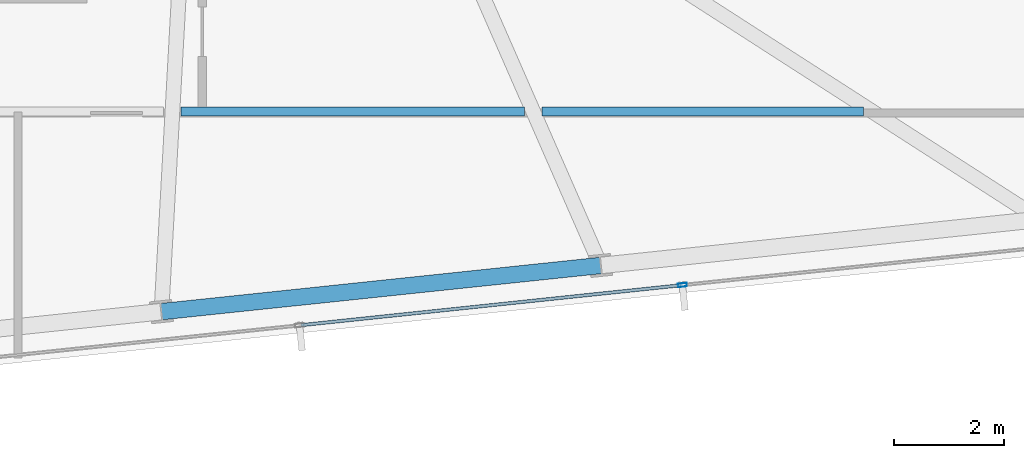
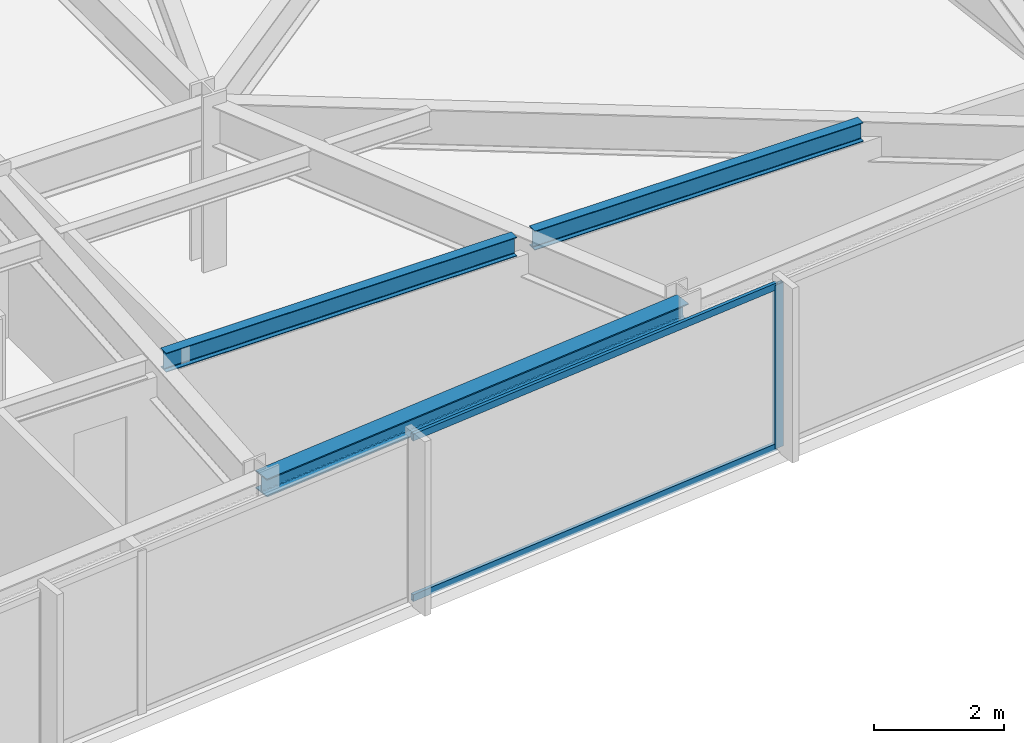
# One storey, part 15 of 32: 3 beams, 3 members, 1 element without a shape of its own.
"""IFC4 building model written with IfcOpenShell, lengths in metres."""

from ifc_helpers import new_model, si_unit, direction, frame, origin, origin_2d, place, context, subcontext, project, spatial, hollow_rectangle, i_section, extrude, material, material_profile, profile_set, type_object, element, aggregate, save


model = new_model("IFC4")

# Units and contexts
model_context = context("Model", 3, precision=1e-05, world=origin(), true_north=direction((0.0, 1.0)))
body_context = subcontext(model_context, "Body", "Model", "MODEL_VIEW")
ifc_project = project(units=[si_unit("LENGTHUNIT", "METRE"), si_unit("AREAUNIT", "SQUARE_METRE"), si_unit("VOLUMEUNIT", "CUBIC_METRE"), si_unit("PLANEANGLEUNIT", "RADIAN"), si_unit("MASSUNIT", "GRAM", prefix="KILO")], contexts=[model_context])

# Site, building, storey
site_placement = place(None, origin())
site = spatial("IfcSite", under=ifc_project, at=site_placement, CompositionType="ELEMENT")
building_placement = place(site_placement, origin())
building = spatial("IfcBuilding", under=site, at=building_placement, Name="Yelkora Congress Tower", CompositionType="ELEMENT")
storey_placement = place(building_placement, frame((0.0, 0.0, 211.10009765625)))
storey = spatial("IfcBuildingStorey", under=building, at=storey_placement, Name="L58", CompositionType="ELEMENT", Elevation=211.10009765625)

# Beams
ifc_material_1 = material(Name="Steel S355J2", Category="steel")
ifc_material_profile_1 = material_profile(ifc_material_1, i_section(OverallWidth=0.169921875, OverallDepth=0.360107421875, WebThickness=0.008056640625, FlangeThickness=0.0126953125, FilletRadius=0.01806640625, at=origin_2d()), Name="IPE 360")
ifc_profile_set_1 = profile_set([ifc_material_profile_1], Name="Steel S355J2")
beam_type_1 = type_object("IfcBeamType", Name="BM-JOIST-IPE360", PredefinedType="JOIST", material=ifc_profile_set_1)
beam_1_placement = place(storey_placement, frame((53.616455078125, 19.678466796875, 2.89990234375), z_axis=(1.0, 0.0, 0.0), x_axis=(0.0, 1.0, 0.0)))
element("IfcBeam", 1, at=beam_1_placement, inside=storey, type_object=beam_type_1, Name="L58 Composite Floor Joist 7", PredefinedType="JOIST", context=body_context, shape_type="SweptSolid", body=[
    extrude(i_section(OverallWidth=0.169921875, OverallDepth=0.360107421875, WebThickness=0.008056640625, FlangeThickness=0.0126953125, FilletRadius=0.01806640625, at=origin_2d()), origin(), (0.0, 0.0, 1.0), 6.2421875),
])
beam_2_placement = place(storey_placement, frame((60.1787109375, 19.678466796875, 2.89990234375), z_axis=(1.0, 0.0, 0.0), x_axis=(0.0, 1.0, 0.0)))
element("IfcBeam", 2, at=beam_2_placement, inside=storey, type_object=beam_type_1, Name="L58 Composite Floor Joist 8", PredefinedType="JOIST", context=body_context, shape_type="SweptSolid", body=[
    extrude(i_section(OverallWidth=0.169921875, OverallDepth=0.360107421875, WebThickness=0.008056640625, FlangeThickness=0.0126953125, FilletRadius=0.01806640625, at=origin_2d()), origin(), (0.0, 0.0, 1.0), 5.84619140625),
])
ifc_material_profile_2 = material_profile(ifc_material_1, i_section(OverallWidth=0.300048828125, OverallDepth=0.340087890625, WebThickness=0.011962890625, FlangeThickness=0.021484375, FilletRadius=0.027099609375, at=origin_2d()), Name="HEB 340")
ifc_profile_set_2 = profile_set([ifc_material_profile_2], Name="Steel S355J2")
beam_type_2 = type_object("IfcBeamType", Name="BM-SPAN-HEB340", PredefinedType="SPANDREL", material=ifc_profile_set_2)
beam_3_placement = place(storey_placement, frame((53.25634765625, 16.037353515625, 2.909912109375), z_axis=(0.994520097542, 0.104545567032, 0.0), x_axis=(-0.104545567032, 0.994520097542, 0.0)))
element("IfcBeam", 3, at=beam_3_placement, inside=storey, type_object=beam_type_2, Name="L58 Perimeter Beam 7", PredefinedType="SPANDREL", context=body_context, shape_type="SweptSolid", body=[
    extrude(i_section(OverallWidth=0.300048828125, OverallDepth=0.340087890625, WebThickness=0.011962890625, FlangeThickness=0.021484375, FilletRadius=0.027099609375, at=origin_2d()), origin(), (0.0, 0.0, 1.0), 8.033203125),
])

# Curtain wall, members
ifc_material_2 = material(Name="Anodised aluminium and insulated glass", Category="aluminium")
curtain_wall_type = type_object("IfcCurtainWallType", Name="CW-SYS-B4", PredefinedType="NOTDEFINED", material=ifc_material_2)
curtain_wall_placement = place(storey_placement, origin())
curtain_wall = element("IfcCurtainWall", 4, at=curtain_wall_placement, inside=storey, type_object=curtain_wall_type, Name="L58 Unitised Curtain Wall 20", PredefinedType="NOTDEFINED")
ifc_material_3 = material(Name="Anodised aluminium 6063-T6", Category="aluminium")
ifc_material_profile_3 = material_profile(ifc_material_3, hollow_rectangle(XDim=0.06494140625, YDim=0.159912109375, WallThickness=0.00390625, at=origin_2d()), Name="ALU 65x160x4")
ifc_profile_set_3 = profile_set([ifc_material_profile_3], Name="Anodised aluminium 6063-T6")
member_type_1 = type_object("IfcMemberType", Name="MEM-ML-B4", PredefinedType="MULLION", material=ifc_profile_set_3)
member_1_placement = place(storey_placement, frame((62.731689453125, 16.5205078125, 0.0), z_axis=(0.0, 0.0, 1.0), x_axis=(0.104526664994, -0.994522084373, 0.0)))
member_1 = element("IfcMember", 5, at=member_1_placement, type_object=member_type_1, Name="CW-B4 mullion 2", PredefinedType="MULLION", context=body_context, shape_type="SweptSolid", body=[
    extrude(hollow_rectangle(XDim=0.06494140625, YDim=0.159912109375, WallThickness=0.00390625, at=origin_2d()), origin(), (0.0, 0.0, 1.0), 3.079833984375),
])
ifc_material_profile_4 = material_profile(ifc_material_3, hollow_rectangle(XDim=0.06005859375, YDim=0.1298828125, WallThickness=0.00390625, at=origin_2d()), Name="ALU 60x130x4")
ifc_profile_set_4 = profile_set([ifc_material_profile_4], Name="Anodised aluminium 6063-T6")
member_type_2 = type_object("IfcMemberType", Name="MEM-TR-B4", PredefinedType="USERDEFINED", material=ifc_profile_set_4)
member_2_placement = place(storey_placement, frame((62.69921875, 16.51708984375, 0.02978515625), z_axis=(-0.994519904787, -0.104547400648, 0.0), x_axis=(0.104547400648, -0.994519904787, 0.0)))
member_2 = element("IfcMember", 6, at=member_2_placement, type_object=member_type_2, Name="CW-B4 transom 2.1", ObjectType="TRANSOM", PredefinedType="USERDEFINED", context=body_context, shape_type="SweptSolid", body=[
    extrude(hollow_rectangle(XDim=0.06005859375, YDim=0.1298828125, WallThickness=0.00390625, at=origin_2d()), origin(), (0.0, 0.0, 1.0), 6.93798828125),
])
member_3_placement = place(storey_placement, frame((62.69921875, 16.51708984375, 3.0498046875), z_axis=(-0.994519904787, -0.104547400648, 0.0), x_axis=(0.104547400648, -0.994519904787, 0.0)))
member_3 = element("IfcMember", 7, at=member_3_placement, type_object=member_type_2, Name="CW-B4 transom 2.2", ObjectType="TRANSOM", PredefinedType="USERDEFINED", context=body_context, shape_type="SweptSolid", body=[
    extrude(hollow_rectangle(XDim=0.06005859375, YDim=0.1298828125, WallThickness=0.00390625, at=origin_2d()), origin(), (0.0, 0.0, 1.0), 6.93798828125),
])
aggregate(curtain_wall, [member_1, member_2, member_3])

save(model, "model.ifc")
